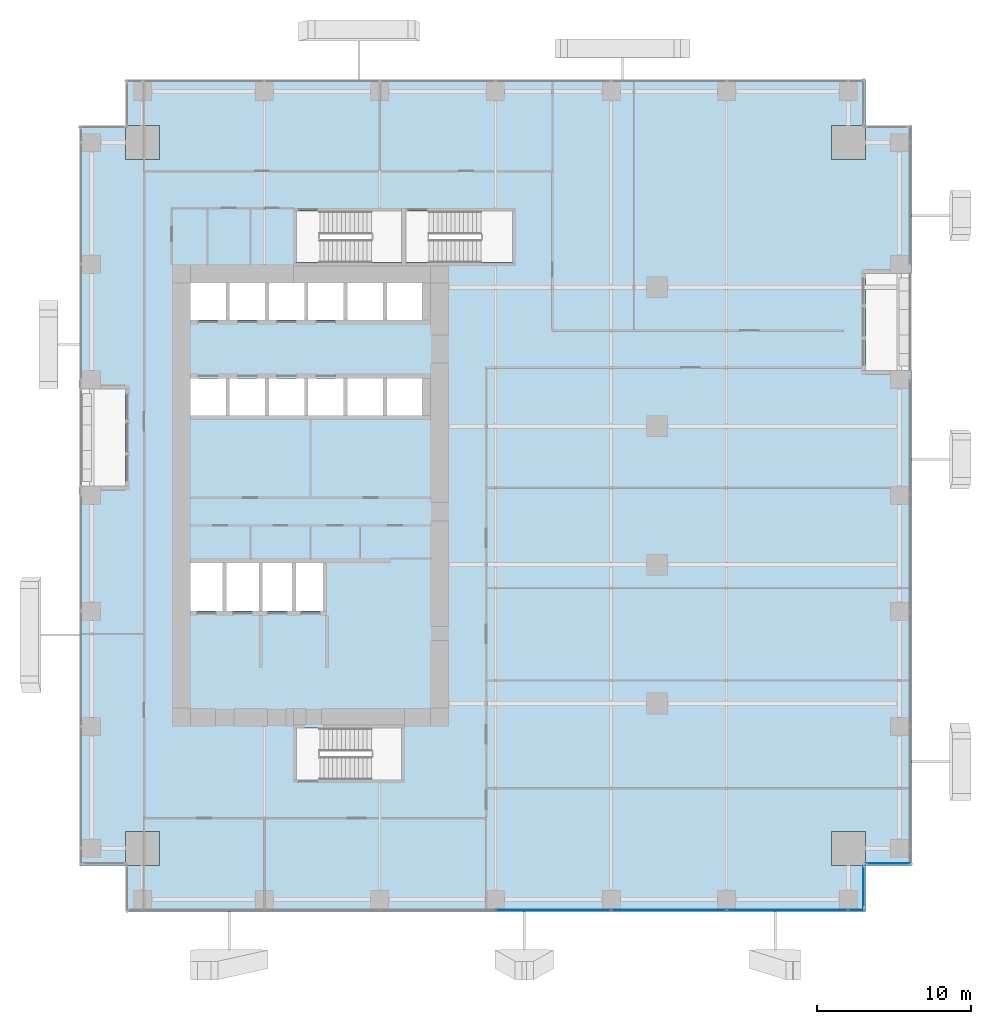
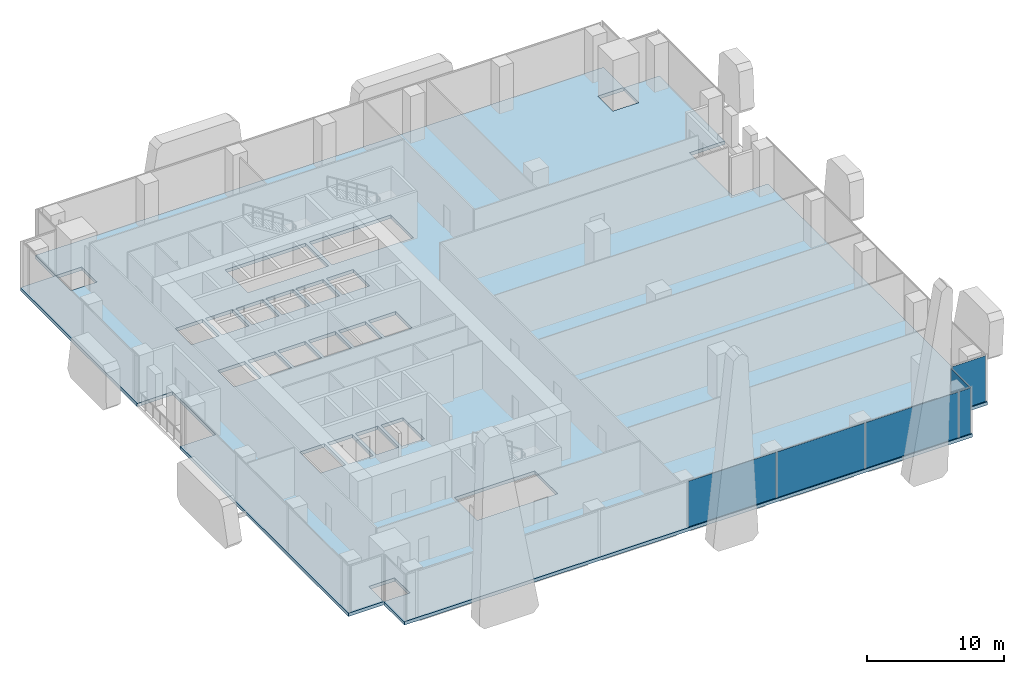
# One storey, part 23 of 35: 6 plates, 1 slab, 3 elements without a shape of their own.
"""IFC4 building model written with IfcOpenShell, lengths in metres."""

from ifc_helpers import new_model, si_unit, direction, frame, origin, origin_2d, place, context, subcontext, project, spatial, polyline, rectangle, outline, extrude, source, transform, mapped, material, layer, layer_set, type_object, element, aggregate, save


model = new_model("IFC4")

# Units and contexts
model_context = context("Model", 3, precision=1e-05, world=origin(), true_north=direction((0.0, 1.0)))
body_context = subcontext(model_context, "Body", "Model", "MODEL_VIEW")
ifc_project = project(units=[si_unit("LENGTHUNIT", "METRE"), si_unit("AREAUNIT", "SQUARE_METRE"), si_unit("VOLUMEUNIT", "CUBIC_METRE"), si_unit("PLANEANGLEUNIT", "RADIAN"), si_unit("MASSUNIT", "GRAM", prefix="KILO")], contexts=[model_context])

# Site, building, storey
site_placement = place(None, origin())
site = spatial("IfcSite", under=ifc_project, at=site_placement, CompositionType="ELEMENT")
building_placement = place(site_placement, origin())
building = spatial("IfcBuilding", under=site, at=building_placement, Name="Khomas Fold Tower", CompositionType="ELEMENT")
storey_placement = place(building_placement, frame((0.0, 0.0, 69.0)))
storey = spatial("IfcBuildingStorey", under=building, at=storey_placement, Name="L14", CompositionType="ELEMENT", Elevation=69.0)

# Slab
ifc_material_1 = material(Name="Concrete C40/50", Category="concrete")
ifc_layer_1 = layer(ifc_material_1, 0.300048828125)
ifc_layer_set_1 = layer_set([ifc_layer_1], Name="Concrete C40/50")
slab_type = type_object("IfcSlabType", Name="RC floor slab 300", PredefinedType="FLOOR", material=ifc_layer_set_1)
shared_shape_1 = source(origin(), body_context, "Body", "SweptSolid", [
    extrude(outline(polyline([(0.0, 3.0), (2.9951171875, 3.0), (2.9951171875, 5.205078125), (5.205078125, 5.205078125), (5.205078125, 2.9951171875), (3.0, 2.9951171875), (3.0, 0.0), (51.0, 0.0), (51.0, 2.9951171875), (48.794921875, 2.9951171875), (48.794921875, 5.205078125), (51.0048828125, 5.205078125), (51.0048828125, 3.0), (54.0, 3.0), (54.0, 35.10009765625), (51.0, 35.10009765625), (51.0, 41.39990234375), (54.0, 41.39990234375), (54.0, 51.0), (51.0048828125, 51.0), (51.0048828125, 48.794921875), (48.794921875, 48.794921875), (48.794921875, 51.0048828125), (51.0, 51.0048828125), (51.0, 54.0), (3.0, 54.0), (3.0, 51.0048828125), (5.205078125, 51.0048828125), (5.205078125, 48.794921875), (2.9951171875, 48.794921875), (2.9951171875, 51.0), (0.0, 51.0), (0.0, 33.89990234375), (3.0, 33.89990234375), (3.0, 27.60009765625), (0.0, 27.60009765625), (0.0, 3.0)]), holes=[polyline([(7.199951171875, 19.5), (7.199951171875, 22.60009765625), (9.300048828125, 22.60009765625), (9.300048828125, 19.5), (7.199951171875, 19.5)]), polyline([(7.199951171875, 32.199951171875), (7.199951171875, 34.60009765625), (9.5, 34.60009765625), (9.5, 32.199951171875), (7.199951171875, 32.199951171875)]), polyline([(7.199951171875, 38.39990234375), (7.199951171875, 40.800048828125), (9.5, 40.800048828125), (9.5, 38.39990234375), (7.199951171875, 38.39990234375)]), polyline([(9.550048828125, 19.5), (9.550048828125, 22.60009765625), (11.64990234375, 22.60009765625), (11.64990234375, 19.5), (9.550048828125, 19.5)]), polyline([(9.75, 32.199951171875), (9.75, 34.60009765625), (12.050048828125, 34.60009765625), (12.050048828125, 32.199951171875), (9.75, 32.199951171875)]), polyline([(9.75, 38.39990234375), (9.75, 40.800048828125), (12.050048828125, 40.800048828125), (12.050048828125, 38.39990234375), (9.75, 38.39990234375)]), polyline([(11.89990234375, 19.5), (11.89990234375, 22.60009765625), (13.800048828125, 22.60009765625), (13.800048828125, 19.5), (11.89990234375, 19.5)]), polyline([(12.300048828125, 32.199951171875), (12.300048828125, 34.60009765625), (14.60009765625, 34.60009765625), (14.60009765625, 32.199951171875), (12.300048828125, 32.199951171875)]), polyline([(12.300048828125, 38.39990234375), (12.300048828125, 40.800048828125), (14.60009765625, 40.800048828125), (14.60009765625, 38.39990234375), (12.300048828125, 38.39990234375)]), polyline([(14.050048828125, 19.5), (14.050048828125, 22.60009765625), (15.949951171875, 22.60009765625), (15.949951171875, 19.5), (14.050048828125, 19.5)]), polyline([(14.10009765625, 8.550048828125), (14.10009765625, 11.89990234375), (20.89990234375, 11.89990234375), (20.89990234375, 8.550048828125), (14.10009765625, 8.550048828125)]), polyline([(14.10009765625, 42.10009765625), (14.10009765625, 45.449951171875), (20.89990234375, 45.449951171875), (20.89990234375, 42.10009765625), (14.10009765625, 42.10009765625)]), polyline([(14.85009765625, 32.199951171875), (14.85009765625, 34.60009765625), (17.14990234375, 34.60009765625), (17.14990234375, 32.199951171875), (14.85009765625, 32.199951171875)]), polyline([(14.85009765625, 38.39990234375), (14.85009765625, 40.800048828125), (17.14990234375, 40.800048828125), (17.14990234375, 38.39990234375), (14.85009765625, 38.39990234375)]), polyline([(17.39990234375, 32.199951171875), (17.39990234375, 34.60009765625), (19.699951171875, 34.60009765625), (19.699951171875, 32.199951171875), (17.39990234375, 32.199951171875)]), polyline([(17.39990234375, 38.39990234375), (17.39990234375, 40.800048828125), (19.699951171875, 40.800048828125), (19.699951171875, 38.39990234375), (17.39990234375, 38.39990234375)]), polyline([(19.949951171875, 32.199951171875), (19.949951171875, 34.60009765625), (22.25, 34.60009765625), (22.25, 32.199951171875), (19.949951171875, 32.199951171875)]), polyline([(19.949951171875, 38.39990234375), (19.949951171875, 40.800048828125), (22.25, 40.800048828125), (22.25, 38.39990234375), (19.949951171875, 38.39990234375)]), polyline([(21.199951171875, 42.10009765625), (21.199951171875, 45.449951171875), (28.10009765625, 45.449951171875), (28.10009765625, 42.10009765625), (21.199951171875, 42.10009765625)])]), origin(), (0.0, 0.0, 1.0), 0.300048828125),
])
slab_placement = place(storey_placement, frame((0.0, 0.0, -0.300048828125)))
element("IfcSlab", 1, at=slab_placement, inside=storey, type_object=slab_type, Name="S-L14", PredefinedType="FLOOR", context=body_context, shape_type="MappedRepresentation", body=[
    mapped(shared_shape_1, transform((0.0, 0.0, 0.0))),
])

# Curtain wall, plates
ifc_material_2 = material(Name="Aluminium framed double glazing", Category="aluminium")
curtain_wall_type = type_object("IfcCurtainWallType", Name="SK-Unitised clear-glass wall, growing floors CW1", PredefinedType="NOTDEFINED", material=ifc_material_2)
curtain_wall_1_placement = place(storey_placement, origin())
curtain_wall_1 = element("IfcCurtainWall", 2, at=curtain_wall_1_placement, inside=storey, type_object=curtain_wall_type, Name="CW1 run L14 00-0", PredefinedType="NOTDEFINED")
ifc_material_3 = material(Name="Clear double glazed unit")
ifc_layer_2 = layer(ifc_material_3, 0.031982421875)
ifc_layer_set_2 = layer_set([ifc_layer_2], Name="Clear double glazed unit")
plate_type = type_object("IfcPlateType", Name="SK-Unitised clear-glass wall, growing floors glass panel CW1-P", PredefinedType="CURTAIN_PANEL", material=ifc_layer_set_2)
shared_shape_2 = source(origin(), body_context, "Body", "SweptSolid", [
    extrude(rectangle(XDim=7.840087890625, YDim=0.031982421875, at=origin_2d()), origin(), (0.0, 0.0, 1.0), 4.080078125),
])
plate_1_placement = place(storey_placement, frame((45.949951171875, 0.10009765625, 0.0), z_axis=(0.0, 0.0, 1.0), x_axis=(1.0, 0.0, 0.0)))
plate_1 = element("IfcPlate", 3, at=plate_1_placement, type_object=plate_type, Name="CW1 glass panel 7", PredefinedType="CURTAIN_PANEL", context=body_context, shape_type="MappedRepresentation", body=[
    mapped(shared_shape_2, transform((0.0, 0.0, 0.0))),
])
shared_shape_3 = source(origin(), body_context, "Body", "SweptSolid", [
    extrude(rectangle(XDim=7.43994140625, YDim=0.031982421875, at=origin_2d()), origin(), (0.0, 0.0, 1.0), 4.080078125),
])
plate_2_placement = place(storey_placement, frame((30.75, 0.10009765625, 0.0), z_axis=(0.0, 0.0, 1.0), x_axis=(1.0, 0.0, 0.0)))
plate_2 = element("IfcPlate", 4, at=plate_2_placement, type_object=plate_type, Name="CW1 glass panel 5", PredefinedType="CURTAIN_PANEL", context=body_context, shape_type="MappedRepresentation", body=[
    mapped(shared_shape_3, transform((0.0, 0.0, 0.0))),
])
plate_3_placement = place(storey_placement, frame((38.25, 0.10009765625, 0.0), z_axis=(0.0, 0.0, 1.0), x_axis=(1.0, 0.0, 0.0)))
plate_3 = element("IfcPlate", 5, at=plate_3_placement, type_object=plate_type, Name="CW1 glass panel 6", PredefinedType="CURTAIN_PANEL", context=body_context, shape_type="MappedRepresentation", body=[
    mapped(shared_shape_3, transform((0.0, 0.0, 0.0))),
])
shared_shape_4 = source(origin(), body_context, "Body", "SweptSolid", [
    extrude(rectangle(XDim=1.010009765625, YDim=0.031982421875, at=origin_2d()), origin(), (0.0, 0.0, 1.0), 4.080078125),
])
plate_4_placement = place(storey_placement, frame((50.43505859375, 0.10009765625, 0.0), z_axis=(0.0, 0.0, 1.0), x_axis=(1.0, 0.0, 0.0)))
plate_4 = element("IfcPlate", 6, at=plate_4_placement, type_object=plate_type, Name="CW1 glass panel 8", PredefinedType="CURTAIN_PANEL", context=body_context, shape_type="MappedRepresentation", body=[
    mapped(shared_shape_4, transform((0.0, 0.0, 0.0))),
])
aggregate(curtain_wall_1, [plate_2, plate_3, plate_1, plate_4])

# Curtain wall, plate
curtain_wall_2_placement = place(storey_placement, origin())
curtain_wall_2 = element("IfcCurtainWall", 7, at=curtain_wall_2_placement, inside=storey, type_object=curtain_wall_type, Name="CW1 corner return L14 01", PredefinedType="NOTDEFINED")
shared_shape_5 = source(origin(), body_context, "Body", "SweptSolid", [
    extrude(rectangle(XDim=2.679931640625, YDim=0.031982421875, at=origin_2d()), origin(), (0.0, 0.0, 1.0), 4.080078125),
])
plate_5_placement = place(storey_placement, frame((50.89990234375, 1.60009765625, 0.0), z_axis=(0.0, 0.0, 1.0), x_axis=(0.0, 1.0, 0.0)))
plate_5 = element("IfcPlate", 8, at=plate_5_placement, type_object=plate_type, Name="CW1 glass panel 1", PredefinedType="CURTAIN_PANEL", context=body_context, shape_type="MappedRepresentation", body=[
    mapped(shared_shape_5, transform((0.0, 0.0, 0.0))),
])
aggregate(curtain_wall_2, [plate_5])

curtain_wall_3_placement = place(storey_placement, origin())
curtain_wall_3 = element("IfcCurtainWall", 9, at=curtain_wall_3_placement, inside=storey, type_object=curtain_wall_type, Name="CW1 corner return L14 02", PredefinedType="NOTDEFINED")
shared_shape_6 = source(origin(), body_context, "Body", "SweptSolid", [
    extrude(rectangle(XDim=2.8798828125, YDim=0.031982421875, at=origin_2d()), origin(), (0.0, 0.0, 1.0), 4.080078125),
])
plate_6_placement = place(storey_placement, frame((52.5, 3.10009765625, 0.0), z_axis=(0.0, 0.0, 1.0), x_axis=(1.0, 0.0, 0.0)))
plate_6 = element("IfcPlate", 10, at=plate_6_placement, type_object=plate_type, Name="CW1 glass panel 1", PredefinedType="CURTAIN_PANEL", context=body_context, shape_type="MappedRepresentation", body=[
    mapped(shared_shape_6, transform((0.0, 0.0, 0.0))),
])
aggregate(curtain_wall_3, [plate_6])

save(model, "model.ifc")
